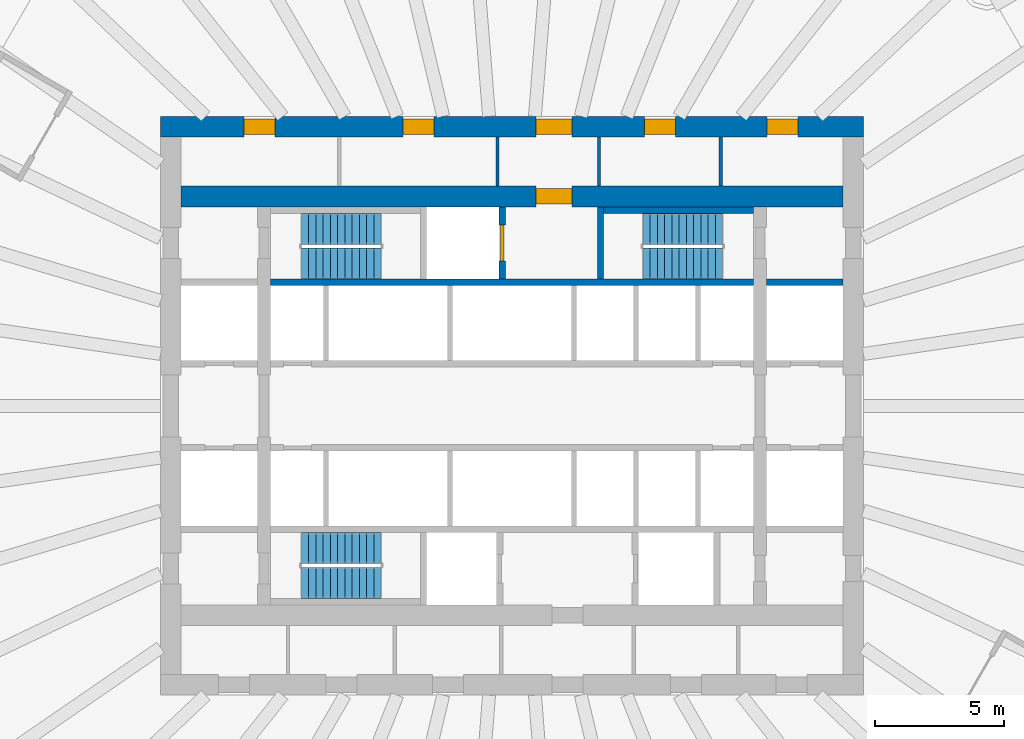
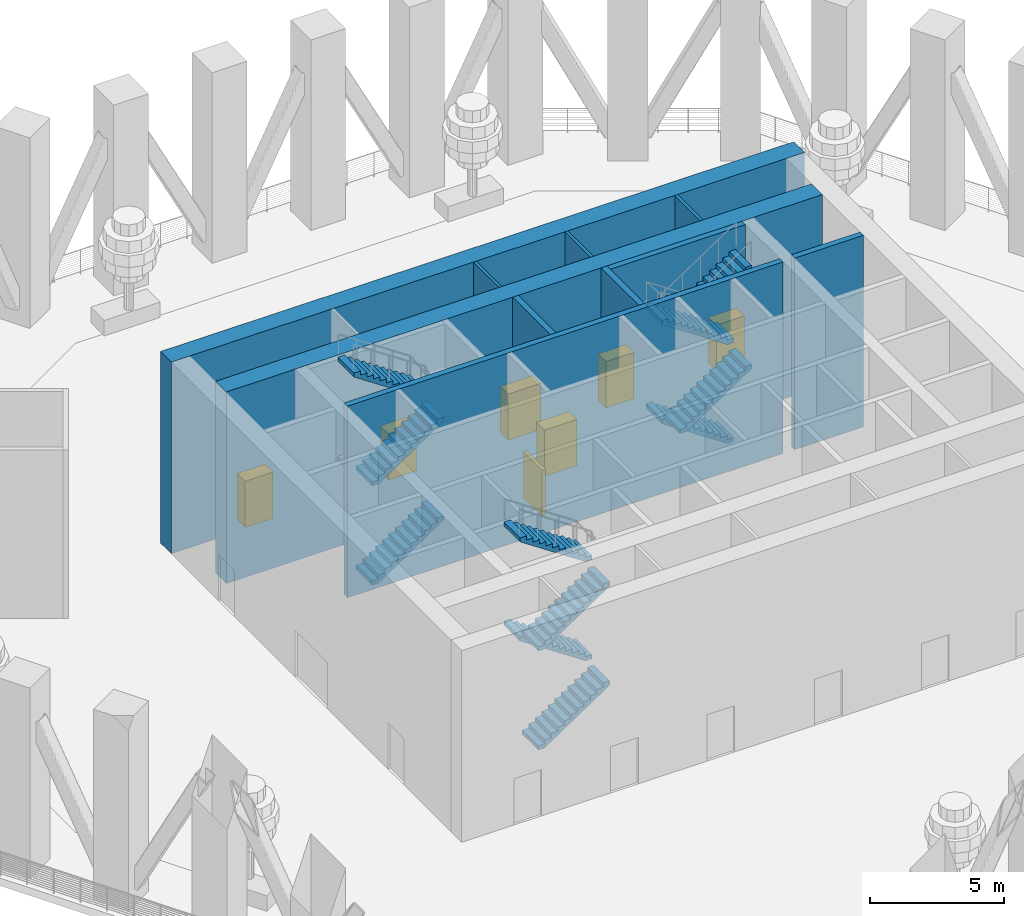
# One storey, part 5 of 10: 12 stair flights, 10 walls, 7 doors, 7 openings, 3 elements without a shape of their own.
"""IFC4 building model written with IfcOpenShell, lengths in metres."""

from ifc_helpers import new_model, si_unit, direction, frame, frame_2d, origin, place, context, subcontext, project, spatial, polyline, rectangle, outline, extrude, material, layer, layer_set, type_object, element, fill, aggregate, save


model = new_model("IFC4")

# Units and contexts
model_context = context("Model", 3, precision=1e-05, world=origin(), true_north=direction((0.0, 1.0)))
body_context = subcontext(model_context, "Body", "Model", "MODEL_VIEW")
ifc_project = project(units=[si_unit("LENGTHUNIT", "METRE"), si_unit("AREAUNIT", "SQUARE_METRE"), si_unit("VOLUMEUNIT", "CUBIC_METRE"), si_unit("PLANEANGLEUNIT", "RADIAN"), si_unit("MASSUNIT", "GRAM", prefix="KILO")], contexts=[model_context])

# Site, building, storey
site_placement = place(None, origin())
site = spatial("IfcSite", under=ifc_project, at=site_placement, CompositionType="ELEMENT")
building_placement = place(site_placement, origin())
building = spatial("IfcBuilding", under=site, at=building_placement, Name="Frailejon Research Tower", CompositionType="ELEMENT")
storey_placement = place(building_placement, frame((0.0, 0.0, 71.800048828125)))
storey = spatial("IfcBuildingStorey", under=building, at=storey_placement, Name="L16", CompositionType="ELEMENT", Elevation=71.800048828125)

# Walls
ifc_material_1 = material(Name="Plasterboard on steel studs", Category="steel")
ifc_layer_1 = layer(ifc_material_1, 0.125)
ifc_layer_set_1 = layer_set([ifc_layer_1], Name="Core partition 125")
wall_type_1 = type_object("IfcWallType", Name="Core partition 125", PredefinedType="PARTITIONING", material=ifc_layer_set_1)
for number, where, z_axis, x_axis, name in (
    (1, (-0.5625, 8.5, 0.0), (0.0, 0.0, 1.0), (0.0, 1.0, 0.0), "Core partition"),
    (2, (3.362548828125, 8.5, 0.0), (0.0, 0.0, 1.0), (0.0, 1.0, 0.0), "Core partition"),
    (3, (8.081298828125, 8.5, 0.0), (0.0, 0.0, 1.0), (0.0, 1.0, 0.0), "Core partition"),
):
    element("IfcWall", number, at=place(storey_placement, frame(where, z_axis=z_axis, x_axis=x_axis)), inside=storey, type_object=wall_type_1, Name=name, PredefinedType="PARTITIONING", context=body_context, shape_type="SweptSolid", body=[
        extrude(rectangle(XDim=1.89990234375, YDim=0.125, at=frame_2d((0.949951171875, 0.0))), origin(), (0.0, 0.0, 1.0), 8.699951171875),
    ])

# Wall, openings, doors
ifc_material_2 = material(Name="Concrete C70/85", Category="concrete")
ifc_layer_2 = layer(ifc_material_2, 0.800048828125)
ifc_layer_set_2 = layer_set([ifc_layer_2], Name="Core shear wall 800 C70/85")
wall_type_2 = type_object("IfcWallType", Name="Core shear wall 800 C70/85", PredefinedType="SHEAR", material=ifc_layer_set_2)
wall_1_placement = place(storey_placement, frame((-13.60009765625, 10.800048828125, 0.0), z_axis=(0.0, 0.0, 1.0), x_axis=(1.0, 0.0, 0.0)))
wall_1 = element("IfcWall", 4, at=wall_1_placement, inside=storey, type_object=wall_type_2, Name="Core shear wall", PredefinedType="SHEAR", context=body_context, shape_type="SweptSolid", body=[
    extrude(rectangle(XDim=27.2001953125, YDim=0.800048828125, at=frame_2d((13.60009765625, 0.0))), origin(), (0.0, 0.0, 1.0), 8.699951171875),
])
opening_1_placement = place(wall_1_placement, frame((3.22802734375, 0.0, 0.0)))
opening_1 = element("IfcOpeningElement", 5, at=opening_1_placement, cuts=wall_1, Name="Opening D6", PredefinedType="OPENING", context=body_context, shape_type="SweptSolid", body=[
    extrude(rectangle(XDim=1.199951171875, YDim=2.10009765625, at=frame_2d((0.60009765625, 1.050048828125))), frame((0.0, 0.409912109375, 0.0), z_axis=(0.0, -1.0, 0.0), x_axis=(1.0, 0.0, 0.0)), (0.0, 0.0, 1.0), 0.820068359375),
])
opening_2_placement = place(wall_1_placement, frame((9.378173828125, 0.0, 0.0)))
opening_2 = element("IfcOpeningElement", 6, at=opening_2_placement, cuts=wall_1, Name="Opening D6", PredefinedType="OPENING", context=body_context, shape_type="SweptSolid", body=[
    extrude(rectangle(XDim=1.199951171875, YDim=2.10009765625, at=frame_2d((0.60009765625, 1.050048828125))), frame((0.0, 0.409912109375, 0.0), z_axis=(0.0, -1.0, 0.0), x_axis=(1.0, 0.0, 0.0)), (0.0, 0.0, 1.0), 0.820068359375),
])
opening_3_placement = place(wall_1_placement, frame((18.721923828125, 0.0, 0.0)))
opening_3 = element("IfcOpeningElement", 7, at=opening_3_placement, cuts=wall_1, Name="Opening D6", PredefinedType="OPENING", context=body_context, shape_type="SweptSolid", body=[
    extrude(rectangle(XDim=1.199951171875, YDim=2.10009765625, at=frame_2d((0.60009765625, 1.050048828125))), frame((0.0, 0.409912109375, 0.0), z_axis=(0.0, -1.0, 0.0), x_axis=(1.0, 0.0, 0.0)), (0.0, 0.0, 1.0), 0.820068359375),
])
opening_4_placement = place(wall_1_placement, frame((23.471923828125, 0.0, 0.0)))
opening_4 = element("IfcOpeningElement", 8, at=opening_4_placement, cuts=wall_1, Name="Opening D6", PredefinedType="OPENING", context=body_context, shape_type="SweptSolid", body=[
    extrude(rectangle(XDim=1.199951171875, YDim=2.10009765625, at=frame_2d((0.60009765625, 1.050048828125))), frame((0.0, 0.409912109375, 0.0), z_axis=(0.0, -1.0, 0.0), x_axis=(1.0, 0.0, 0.0)), (0.0, 0.0, 1.0), 0.820068359375),
])
opening_5_placement = place(wall_1_placement, frame((14.52490234375, 0.0, 0.0)))
opening_5 = element("IfcOpeningElement", 9, at=opening_5_placement, cuts=wall_1, Name="Opening D9", PredefinedType="OPENING", context=body_context, shape_type="SweptSolid", body=[
    extrude(rectangle(XDim=1.39990234375, YDim=2.10009765625, at=frame_2d((0.699951171875, 1.050048828125))), frame((0.0, 0.409912109375, 0.0), z_axis=(0.0, -1.0, 0.0), x_axis=(1.0, 0.0, 0.0)), (0.0, 0.0, 1.0), 0.820068359375),
])
ifc_material_3 = material(Name="Steel", Category="steel")
door_type_1 = type_object("IfcDoorType", Name="Goods lobby door", OperationType="DOUBLE_DOOR_SINGLE_SWING", PredefinedType="DOOR", material=ifc_material_3)
door_1_placement = place(opening_5_placement, origin())
door_1 = element("IfcDoor", 10, at=door_1_placement, inside=storey, type_object=door_type_1, Name="Passage door", OperationType="DOUBLE_DOOR_SINGLE_SWING", OverallHeight=2.10009765625, OverallWidth=1.39990234375, PredefinedType="DOOR", context=body_context, shape_type="SweptSolid", body=[
    extrude(rectangle(XDim=1.39990234375, YDim=2.10009765625, at=frame_2d((0.699951171875, 1.050048828125))), frame((0.0, 0.300048828125, 0.0), z_axis=(0.0, -1.0, 0.0), x_axis=(1.0, 0.0, 0.0)), (0.0, 0.0, 1.0), 0.60009765625),
])
fill(opening_5, door_1)
ifc_material_4 = material(Name="Steel", Category="steel")
door_type_2 = type_object("IfcDoorType", Name="Plant door", OperationType="SINGLE_SWING_LEFT", PredefinedType="DOOR", material=ifc_material_4)
door_2_placement = place(opening_1_placement, origin())
door_2 = element("IfcDoor", 11, at=door_2_placement, inside=storey, type_object=door_type_2, Name="Room door", OperationType="SINGLE_SWING_RIGHT", OverallHeight=2.10009765625, OverallWidth=1.199951171875, PredefinedType="DOOR", context=body_context, shape_type="SweptSolid", body=[
    extrude(rectangle(XDim=1.199951171875, YDim=2.10009765625, at=frame_2d((0.60009765625, 1.050048828125))), frame((0.0, 0.300048828125, 0.0), z_axis=(0.0, -1.0, 0.0), x_axis=(1.0, 0.0, 0.0)), (0.0, 0.0, 1.0), 0.60009765625),
])
fill(opening_1, door_2)
door_3_placement = place(opening_2_placement, origin())
door_3 = element("IfcDoor", 12, at=door_3_placement, inside=storey, type_object=door_type_2, Name="Room door", OperationType="SINGLE_SWING_LEFT", OverallHeight=2.10009765625, OverallWidth=1.199951171875, PredefinedType="DOOR", context=body_context, shape_type="SweptSolid", body=[
    extrude(rectangle(XDim=1.199951171875, YDim=2.10009765625, at=frame_2d((0.60009765625, 1.050048828125))), frame((0.0, 0.300048828125, 0.0), z_axis=(0.0, -1.0, 0.0), x_axis=(1.0, 0.0, 0.0)), (0.0, 0.0, 1.0), 0.60009765625),
])
fill(opening_2, door_3)
door_4_placement = place(opening_3_placement, origin())
door_4 = element("IfcDoor", 13, at=door_4_placement, inside=storey, type_object=door_type_2, Name="Room door", OperationType="SINGLE_SWING_RIGHT", OverallHeight=2.10009765625, OverallWidth=1.199951171875, PredefinedType="DOOR", context=body_context, shape_type="SweptSolid", body=[
    extrude(rectangle(XDim=1.199951171875, YDim=2.10009765625, at=frame_2d((0.60009765625, 1.050048828125))), frame((0.0, 0.300048828125, 0.0), z_axis=(0.0, -1.0, 0.0), x_axis=(1.0, 0.0, 0.0)), (0.0, 0.0, 1.0), 0.60009765625),
])
fill(opening_3, door_4)
door_5_placement = place(opening_4_placement, origin())
door_5 = element("IfcDoor", 14, at=door_5_placement, inside=storey, type_object=door_type_2, Name="Room door", OperationType="SINGLE_SWING_LEFT", OverallHeight=2.10009765625, OverallWidth=1.199951171875, PredefinedType="DOOR", context=body_context, shape_type="SweptSolid", body=[
    extrude(rectangle(XDim=1.199951171875, YDim=2.10009765625, at=frame_2d((0.60009765625, 1.050048828125))), frame((0.0, 0.300048828125, 0.0), z_axis=(0.0, -1.0, 0.0), x_axis=(1.0, 0.0, 0.0)), (0.0, 0.0, 1.0), 0.60009765625),
])
fill(opening_4, door_5)

# Wall, opening, door
wall_2_placement = place(storey_placement, frame((-12.800048828125, 8.10009765625, 0.0), z_axis=(0.0, 0.0, 1.0), x_axis=(1.0, 0.0, 0.0)))
wall_2 = element("IfcWall", 15, at=wall_2_placement, inside=storey, type_object=wall_type_2, Name="Core shear wall", PredefinedType="SHEAR", context=body_context, shape_type="SweptSolid", body=[
    extrude(rectangle(XDim=25.60009765625, YDim=0.800048828125, at=frame_2d((12.800048828125, 0.0))), origin(), (0.0, 0.0, 1.0), 8.699951171875),
])
opening_6_placement = place(wall_2_placement, frame((13.72509765625, 0.0, 0.0)))
opening_6 = element("IfcOpeningElement", 16, at=opening_6_placement, cuts=wall_2, Name="Opening D9", PredefinedType="OPENING", context=body_context, shape_type="SweptSolid", body=[
    extrude(rectangle(XDim=1.39990234375, YDim=2.10009765625, at=frame_2d((0.699951171875, 1.050048828125))), frame((0.0, 0.409912109375, 0.0), z_axis=(0.0, -1.0, 0.0), x_axis=(1.0, 0.0, 0.0)), (0.0, 0.0, 1.0), 0.820068359375),
])
door_6_placement = place(opening_6_placement, origin())
door_6 = element("IfcDoor", 17, at=door_6_placement, inside=storey, type_object=door_type_1, Name="Goods lobby door", OperationType="DOUBLE_DOOR_SINGLE_SWING", OverallHeight=2.10009765625, OverallWidth=1.39990234375, PredefinedType="DOOR", context=body_context, shape_type="SweptSolid", body=[
    extrude(rectangle(XDim=1.39990234375, YDim=2.10009765625, at=frame_2d((0.699951171875, 1.050048828125))), frame((0.0, 0.300048828125, 0.0), z_axis=(0.0, -1.0, 0.0), x_axis=(1.0, 0.0, 0.0)), (0.0, 0.0, 1.0), 0.60009765625),
])
fill(opening_6, door_6)

# Walls
ifc_material_5 = material(Name="Concrete C70/85", Category="concrete")
ifc_layer_3 = layer(ifc_material_5, 0.25)
ifc_layer_set_3 = layer_set([ifc_layer_3], Name="Shaft wall 250 C70/85")
wall_type_3 = type_object("IfcWallType", Name="Shaft wall 250 C70/85", PredefinedType="SOLIDWALL", material=ifc_layer_set_3)
wall_3_placement = place(storey_placement, frame((-9.35009765625, 4.77490234375, 0.0), z_axis=(0.0, 0.0, 1.0), x_axis=(1.0, 0.0, 0.0)))
element("IfcWall", 18, at=wall_3_placement, inside=storey, type_object=wall_type_3, Name="Shaft wall", PredefinedType="SOLIDWALL", context=body_context, shape_type="SweptSolid", body=[
    extrude(rectangle(XDim=18.7001953125, YDim=0.25, at=frame_2d((9.35009765625, 0.0))), origin(), (0.0, 0.0, 1.0), 8.699951171875),
])
wall_4_placement = place(storey_placement, frame((9.85009765625, 4.77490234375, 0.0), z_axis=(0.0, 0.0, 1.0), x_axis=(1.0, 0.0, 0.0)))
element("IfcWall", 19, at=wall_4_placement, inside=storey, type_object=wall_type_3, Name="Shaft wall", PredefinedType="SOLIDWALL", context=body_context, shape_type="SweptSolid", body=[
    extrude(rectangle(XDim=2.949951171875, YDim=0.25, at=frame_2d((1.47509765625, 0.0))), origin(), (0.0, 0.0, 1.0), 8.699951171875),
])
wall_5_placement = place(storey_placement, frame((3.550048828125, 7.574951171875, 0.0), z_axis=(0.0, 0.0, 1.0), x_axis=(1.0, 0.0, 0.0)))
element("IfcWall", 20, at=wall_5_placement, inside=storey, type_object=wall_type_3, Name="Shaft wall", PredefinedType="SOLIDWALL", context=body_context, shape_type="SweptSolid", body=[
    extrude(rectangle(XDim=5.800048828125, YDim=0.25, at=frame_2d((2.89990234375, 0.0))), origin(), (0.0, 0.0, 1.0), 8.699951171875),
])

# Wall, opening, door
wall_6_placement = place(storey_placement, frame((-0.375, 4.89990234375, 0.0), z_axis=(0.0, 0.0, 1.0), x_axis=(0.0, 1.0, 0.0)))
wall_6 = element("IfcWall", 21, at=wall_6_placement, inside=storey, type_object=wall_type_3, Name="Shaft wall", PredefinedType="SOLIDWALL", context=body_context, shape_type="SweptSolid", body=[
    extrude(rectangle(XDim=2.800048828125, YDim=0.25, at=frame_2d((1.39990234375, 0.0))), origin(), (0.0, 0.0, 1.0), 8.699951171875),
])
opening_7_placement = place(wall_6_placement, frame((0.699951171875, 0.0, 0.0)))
opening_7 = element("IfcOpeningElement", 22, at=opening_7_placement, cuts=wall_6, Name="Opening LD2", PredefinedType="OPENING", context=body_context, shape_type="SweptSolid", body=[
    extrude(rectangle(XDim=1.39990234375, YDim=2.10009765625, at=frame_2d((0.699951171875, 1.050048828125))), frame((0.0, 0.135009765625, 0.0), z_axis=(0.0, -1.0, 0.0), x_axis=(1.0, 0.0, 0.0)), (0.0, 0.0, 1.0), 0.27001953125),
])
ifc_material_6 = material(Name="Stainless steel", Category="steel")
door_type_3 = type_object("IfcDoorType", Name="Goods landing door", OperationType="DOUBLE_DOOR_SLIDING", PredefinedType="DOOR", material=ifc_material_6)
door_7_placement = place(opening_7_placement, origin())
door_7 = element("IfcDoor", 23, at=door_7_placement, inside=storey, type_object=door_type_3, Name="Lift landing door", OperationType="DOUBLE_DOOR_SLIDING", OverallHeight=2.10009765625, OverallWidth=1.39990234375, PredefinedType="DOOR", context=body_context, shape_type="SweptSolid", body=[
    extrude(rectangle(XDim=1.39990234375, YDim=2.10009765625, at=frame_2d((0.699951171875, 1.050048828125))), frame((0.0, 0.074951171875, 0.0), z_axis=(0.0, -1.0, 0.0), x_axis=(1.0, 0.0, 0.0)), (0.0, 0.0, 1.0), 0.14990234375),
])
fill(opening_7, door_7)

# Wall
wall_7_placement = place(storey_placement, frame((3.425048828125, 4.89990234375, 0.0), z_axis=(0.0, 0.0, 1.0), x_axis=(0.0, 1.0, 0.0)))
element("IfcWall", 24, at=wall_7_placement, inside=storey, type_object=wall_type_3, Name="Shaft wall", PredefinedType="SOLIDWALL", context=body_context, shape_type="SweptSolid", body=[
    extrude(rectangle(XDim=2.800048828125, YDim=0.25, at=frame_2d((1.39990234375, 0.0))), origin(), (0.0, 0.0, 1.0), 8.699951171875),
])

# Stair, stair flights
ifc_material_7 = material(Name="Concrete C50/60", Category="concrete")
stair_type = type_object("IfcStairType", Name="Exit stair 48 risers", PredefinedType="HALF_TURN_STAIR", material=ifc_material_7)
stair_1_placement = place(storey_placement, origin())
stair_1 = element("IfcStair", 25, at=stair_1_placement, inside=storey, type_object=stair_type, Name="L16 Exit stair ST1", PredefinedType="HALF_TURN_STAIR")
ifc_material_8 = material(Name="Concrete C50/60", Category="concrete")
ifc_layer_4 = layer(ifc_material_8, 0.14990234375)
ifc_layer_set_4 = layer_set([ifc_layer_4], Name="Stair flight 12 risers")
stair_flight_type = type_object("IfcStairFlightType", Name="Stair flight 12 risers", PredefinedType="STRAIGHT", material=ifc_layer_set_4)
stair_flight_1_placement = place(storey_placement, frame((-8.14990234375, 5.5, 0.0), z_axis=(0.0, 0.0, 1.0), x_axis=(1.0, 0.0, 0.0)))
stair_flight_1 = element("IfcStairFlight", 26, at=stair_flight_1_placement, type_object=stair_flight_type, Name="ST1 flight 1", NumberOfRisers=12, NumberOfTreads=11, PredefinedType="STRAIGHT", RiserHeight=0.1875, TreadLength=0.28, context=body_context, shape_type="SweptSolid", body=[
    extrude(outline(polyline([(0.0, 0.0), (0.0, 0.1875), (0.280029296875, 0.1875), (0.280029296875, 0.375), (0.56005859375, 0.375), (0.56005859375, 0.5625), (0.840087890625, 0.5625), (0.840087890625, 0.75), (1.1201171875, 0.75), (1.1201171875, 0.9375), (1.39990234375, 0.9375), (1.39990234375, 1.125), (1.679931640625, 1.125), (1.679931640625, 1.3125), (1.9599609375, 1.3125), (1.9599609375, 1.5), (2.239990234375, 1.5), (2.239990234375, 1.6875), (2.52001953125, 1.6875), (2.52001953125, 1.875), (2.800048828125, 1.875), (2.800048828125, 2.0625), (3.080078125, 2.0625), (3.080078125, 2.25), (3.080078125, 1.882080078125), (0.26953125, 0.0), (0.0, 0.0)])), frame((0.0, 0.60009765625, 0.0), z_axis=(0.0, -1.0, 0.0), x_axis=(1.0, 0.0, 0.0)), (0.0, 0.0, 1.0), 1.199951171875),
])
stair_flight_2_placement = place(storey_placement, frame((-5.070068359375, 6.85009765625, 2.25), z_axis=(0.0, 0.0, 1.0), x_axis=(-1.0, 0.0, 0.0)))
stair_flight_2 = element("IfcStairFlight", 27, at=stair_flight_2_placement, type_object=stair_flight_type, Name="ST1 flight 2", NumberOfRisers=12, NumberOfTreads=11, PredefinedType="STRAIGHT", RiserHeight=0.1875, TreadLength=0.28, context=body_context, shape_type="SweptSolid", body=[
    extrude(outline(polyline([(0.0, 0.0), (0.0, 0.1875), (0.280029296875, 0.1875), (0.280029296875, 0.375), (0.56005859375, 0.375), (0.56005859375, 0.5625), (0.840087890625, 0.5625), (0.840087890625, 0.75), (1.1201171875, 0.75), (1.1201171875, 0.9375), (1.39990234375, 0.9375), (1.39990234375, 1.125), (1.679931640625, 1.125), (1.679931640625, 1.3125), (1.9599609375, 1.3125), (1.9599609375, 1.5), (2.239990234375, 1.5), (2.239990234375, 1.6875), (2.52001953125, 1.6875), (2.52001953125, 1.875), (2.800048828125, 1.875), (2.800048828125, 2.0625), (3.080078125, 2.0625), (3.080078125, 2.25), (3.080078125, 1.882080078125), (0.26953125, 0.0), (0.0, 0.0)])), frame((0.0, 0.60009765625, 0.0), z_axis=(0.0, -1.0, 0.0), x_axis=(1.0, 0.0, 0.0)), (0.0, 0.0, 1.0), 1.199951171875),
])
stair_flight_3_placement = place(storey_placement, frame((-8.14990234375, 5.5, 4.5), z_axis=(0.0, 0.0, 1.0), x_axis=(1.0, 0.0, 0.0)))
stair_flight_3 = element("IfcStairFlight", 28, at=stair_flight_3_placement, type_object=stair_flight_type, Name="ST1 flight 3", NumberOfRisers=12, NumberOfTreads=11, PredefinedType="STRAIGHT", RiserHeight=0.1875, TreadLength=0.28, context=body_context, shape_type="SweptSolid", body=[
    extrude(outline(polyline([(0.0, 0.0), (0.0, 0.1875), (0.280029296875, 0.1875), (0.280029296875, 0.375), (0.56005859375, 0.375), (0.56005859375, 0.5625), (0.840087890625, 0.5625), (0.840087890625, 0.75), (1.1201171875, 0.75), (1.1201171875, 0.9375), (1.39990234375, 0.9375), (1.39990234375, 1.125), (1.679931640625, 1.125), (1.679931640625, 1.3125), (1.9599609375, 1.3125), (1.9599609375, 1.5), (2.239990234375, 1.5), (2.239990234375, 1.6875), (2.52001953125, 1.6875), (2.52001953125, 1.875), (2.800048828125, 1.875), (2.800048828125, 2.0625), (3.080078125, 2.0625), (3.080078125, 2.25), (3.080078125, 1.882080078125), (0.26953125, 0.0), (0.0, 0.0)])), frame((0.0, 0.60009765625, 0.0), z_axis=(0.0, -1.0, 0.0), x_axis=(1.0, 0.0, 0.0)), (0.0, 0.0, 1.0), 1.199951171875),
])
stair_flight_4_placement = place(storey_placement, frame((-5.070068359375, 6.85009765625, 6.75), z_axis=(0.0, 0.0, 1.0), x_axis=(-1.0, 0.0, 0.0)))
stair_flight_4 = element("IfcStairFlight", 29, at=stair_flight_4_placement, type_object=stair_flight_type, Name="ST1 flight 4", NumberOfRisers=12, NumberOfTreads=11, PredefinedType="STRAIGHT", RiserHeight=0.1875, TreadLength=0.28, context=body_context, shape_type="SweptSolid", body=[
    extrude(outline(polyline([(0.0, 0.0), (0.0, 0.1875), (0.280029296875, 0.1875), (0.280029296875, 0.375), (0.56005859375, 0.375), (0.56005859375, 0.5625), (0.840087890625, 0.5625), (0.840087890625, 0.75), (1.1201171875, 0.75), (1.1201171875, 0.9375), (1.39990234375, 0.9375), (1.39990234375, 1.125), (1.679931640625, 1.125), (1.679931640625, 1.3125), (1.9599609375, 1.3125), (1.9599609375, 1.5), (2.239990234375, 1.5), (2.239990234375, 1.6875), (2.52001953125, 1.6875), (2.52001953125, 1.875), (2.800048828125, 1.875), (2.800048828125, 2.0625), (3.080078125, 2.0625), (3.080078125, 2.25), (3.080078125, 1.882080078125), (0.26953125, 0.0), (0.0, 0.0)])), frame((0.0, 0.60009765625, 0.0), z_axis=(0.0, -1.0, 0.0), x_axis=(1.0, 0.0, 0.0)), (0.0, 0.0, 1.0), 1.199951171875),
])
aggregate(stair_1, [stair_flight_1, stair_flight_2, stair_flight_3, stair_flight_4])

stair_2_placement = place(storey_placement, origin())
stair_2 = element("IfcStair", 30, at=stair_2_placement, inside=storey, type_object=stair_type, Name="L16 Exit stair ST2", PredefinedType="HALF_TURN_STAIR")
stair_flight_5_placement = place(storey_placement, frame((-8.14990234375, -6.85009765625, 0.0), z_axis=(0.0, 0.0, 1.0), x_axis=(1.0, 0.0, 0.0)))
stair_flight_5 = element("IfcStairFlight", 31, at=stair_flight_5_placement, type_object=stair_flight_type, Name="ST2 flight 1", NumberOfRisers=12, NumberOfTreads=11, PredefinedType="STRAIGHT", RiserHeight=0.1875, TreadLength=0.28, context=body_context, shape_type="SweptSolid", body=[
    extrude(outline(polyline([(0.0, 0.0), (0.0, 0.1875), (0.280029296875, 0.1875), (0.280029296875, 0.375), (0.56005859375, 0.375), (0.56005859375, 0.5625), (0.840087890625, 0.5625), (0.840087890625, 0.75), (1.1201171875, 0.75), (1.1201171875, 0.9375), (1.39990234375, 0.9375), (1.39990234375, 1.125), (1.679931640625, 1.125), (1.679931640625, 1.3125), (1.9599609375, 1.3125), (1.9599609375, 1.5), (2.239990234375, 1.5), (2.239990234375, 1.6875), (2.52001953125, 1.6875), (2.52001953125, 1.875), (2.800048828125, 1.875), (2.800048828125, 2.0625), (3.080078125, 2.0625), (3.080078125, 2.25), (3.080078125, 1.882080078125), (0.26953125, 0.0), (0.0, 0.0)])), frame((0.0, 0.60009765625, 0.0), z_axis=(0.0, -1.0, 0.0), x_axis=(1.0, 0.0, 0.0)), (0.0, 0.0, 1.0), 1.199951171875),
])
stair_flight_6_placement = place(storey_placement, frame((-5.070068359375, -5.5, 2.25), z_axis=(0.0, 0.0, 1.0), x_axis=(-1.0, 0.0, 0.0)))
stair_flight_6 = element("IfcStairFlight", 32, at=stair_flight_6_placement, type_object=stair_flight_type, Name="ST2 flight 2", NumberOfRisers=12, NumberOfTreads=11, PredefinedType="STRAIGHT", RiserHeight=0.1875, TreadLength=0.28, context=body_context, shape_type="SweptSolid", body=[
    extrude(outline(polyline([(0.0, 0.0), (0.0, 0.1875), (0.280029296875, 0.1875), (0.280029296875, 0.375), (0.56005859375, 0.375), (0.56005859375, 0.5625), (0.840087890625, 0.5625), (0.840087890625, 0.75), (1.1201171875, 0.75), (1.1201171875, 0.9375), (1.39990234375, 0.9375), (1.39990234375, 1.125), (1.679931640625, 1.125), (1.679931640625, 1.3125), (1.9599609375, 1.3125), (1.9599609375, 1.5), (2.239990234375, 1.5), (2.239990234375, 1.6875), (2.52001953125, 1.6875), (2.52001953125, 1.875), (2.800048828125, 1.875), (2.800048828125, 2.0625), (3.080078125, 2.0625), (3.080078125, 2.25), (3.080078125, 1.882080078125), (0.26953125, 0.0), (0.0, 0.0)])), frame((0.0, 0.60009765625, 0.0), z_axis=(0.0, -1.0, 0.0), x_axis=(1.0, 0.0, 0.0)), (0.0, 0.0, 1.0), 1.199951171875),
])
stair_flight_7_placement = place(storey_placement, frame((-8.14990234375, -6.85009765625, 4.5), z_axis=(0.0, 0.0, 1.0), x_axis=(1.0, 0.0, 0.0)))
stair_flight_7 = element("IfcStairFlight", 33, at=stair_flight_7_placement, type_object=stair_flight_type, Name="ST2 flight 3", NumberOfRisers=12, NumberOfTreads=11, PredefinedType="STRAIGHT", RiserHeight=0.1875, TreadLength=0.28, context=body_context, shape_type="SweptSolid", body=[
    extrude(outline(polyline([(0.0, 0.0), (0.0, 0.1875), (0.280029296875, 0.1875), (0.280029296875, 0.375), (0.56005859375, 0.375), (0.56005859375, 0.5625), (0.840087890625, 0.5625), (0.840087890625, 0.75), (1.1201171875, 0.75), (1.1201171875, 0.9375), (1.39990234375, 0.9375), (1.39990234375, 1.125), (1.679931640625, 1.125), (1.679931640625, 1.3125), (1.9599609375, 1.3125), (1.9599609375, 1.5), (2.239990234375, 1.5), (2.239990234375, 1.6875), (2.52001953125, 1.6875), (2.52001953125, 1.875), (2.800048828125, 1.875), (2.800048828125, 2.0625), (3.080078125, 2.0625), (3.080078125, 2.25), (3.080078125, 1.882080078125), (0.26953125, 0.0), (0.0, 0.0)])), frame((0.0, 0.60009765625, 0.0), z_axis=(0.0, -1.0, 0.0), x_axis=(1.0, 0.0, 0.0)), (0.0, 0.0, 1.0), 1.199951171875),
])
stair_flight_8_placement = place(storey_placement, frame((-5.070068359375, -5.5, 6.75), z_axis=(0.0, 0.0, 1.0), x_axis=(-1.0, 0.0, 0.0)))
stair_flight_8 = element("IfcStairFlight", 34, at=stair_flight_8_placement, type_object=stair_flight_type, Name="ST2 flight 4", NumberOfRisers=12, NumberOfTreads=11, PredefinedType="STRAIGHT", RiserHeight=0.1875, TreadLength=0.28, context=body_context, shape_type="SweptSolid", body=[
    extrude(outline(polyline([(0.0, 0.0), (0.0, 0.1875), (0.280029296875, 0.1875), (0.280029296875, 0.375), (0.56005859375, 0.375), (0.56005859375, 0.5625), (0.840087890625, 0.5625), (0.840087890625, 0.75), (1.1201171875, 0.75), (1.1201171875, 0.9375), (1.39990234375, 0.9375), (1.39990234375, 1.125), (1.679931640625, 1.125), (1.679931640625, 1.3125), (1.9599609375, 1.3125), (1.9599609375, 1.5), (2.239990234375, 1.5), (2.239990234375, 1.6875), (2.52001953125, 1.6875), (2.52001953125, 1.875), (2.800048828125, 1.875), (2.800048828125, 2.0625), (3.080078125, 2.0625), (3.080078125, 2.25), (3.080078125, 1.882080078125), (0.26953125, 0.0), (0.0, 0.0)])), frame((0.0, 0.60009765625, 0.0), z_axis=(0.0, -1.0, 0.0), x_axis=(1.0, 0.0, 0.0)), (0.0, 0.0, 1.0), 1.199951171875),
])
aggregate(stair_2, [stair_flight_5, stair_flight_6, stair_flight_7, stair_flight_8])

stair_3_placement = place(storey_placement, origin())
stair_3 = element("IfcStair", 35, at=stair_3_placement, inside=storey, type_object=stair_type, Name="L16 Exit stair ST3", PredefinedType="HALF_TURN_STAIR")
stair_flight_9_placement = place(storey_placement, frame((8.14990234375, 6.85009765625, 0.0), z_axis=(0.0, 0.0, 1.0), x_axis=(-1.0, 0.0, 0.0)))
stair_flight_9 = element("IfcStairFlight", 36, at=stair_flight_9_placement, type_object=stair_flight_type, Name="ST3 flight 1", NumberOfRisers=12, NumberOfTreads=11, PredefinedType="STRAIGHT", RiserHeight=0.1875, TreadLength=0.28, context=body_context, shape_type="SweptSolid", body=[
    extrude(outline(polyline([(0.0, 0.0), (0.0, 0.1875), (0.280029296875, 0.1875), (0.280029296875, 0.375), (0.56005859375, 0.375), (0.56005859375, 0.5625), (0.840087890625, 0.5625), (0.840087890625, 0.75), (1.1201171875, 0.75), (1.1201171875, 0.9375), (1.39990234375, 0.9375), (1.39990234375, 1.125), (1.679931640625, 1.125), (1.679931640625, 1.3125), (1.9599609375, 1.3125), (1.9599609375, 1.5), (2.239990234375, 1.5), (2.239990234375, 1.6875), (2.52001953125, 1.6875), (2.52001953125, 1.875), (2.800048828125, 1.875), (2.800048828125, 2.0625), (3.080078125, 2.0625), (3.080078125, 2.25), (3.080078125, 1.882080078125), (0.26953125, 0.0), (0.0, 0.0)])), frame((0.0, 0.60009765625, 0.0), z_axis=(0.0, -1.0, 0.0), x_axis=(1.0, 0.0, 0.0)), (0.0, 0.0, 1.0), 1.199951171875),
])
stair_flight_10_placement = place(storey_placement, frame((5.070068359375, 5.5, 2.25), z_axis=(0.0, 0.0, 1.0), x_axis=(1.0, 0.0, 0.0)))
stair_flight_10 = element("IfcStairFlight", 37, at=stair_flight_10_placement, type_object=stair_flight_type, Name="ST3 flight 2", NumberOfRisers=12, NumberOfTreads=11, PredefinedType="STRAIGHT", RiserHeight=0.1875, TreadLength=0.28, context=body_context, shape_type="SweptSolid", body=[
    extrude(outline(polyline([(0.0, 0.0), (0.0, 0.1875), (0.280029296875, 0.1875), (0.280029296875, 0.375), (0.56005859375, 0.375), (0.56005859375, 0.5625), (0.840087890625, 0.5625), (0.840087890625, 0.75), (1.1201171875, 0.75), (1.1201171875, 0.9375), (1.39990234375, 0.9375), (1.39990234375, 1.125), (1.679931640625, 1.125), (1.679931640625, 1.3125), (1.9599609375, 1.3125), (1.9599609375, 1.5), (2.239990234375, 1.5), (2.239990234375, 1.6875), (2.52001953125, 1.6875), (2.52001953125, 1.875), (2.800048828125, 1.875), (2.800048828125, 2.0625), (3.080078125, 2.0625), (3.080078125, 2.25), (3.080078125, 1.882080078125), (0.26953125, 0.0), (0.0, 0.0)])), frame((0.0, 0.60009765625, 0.0), z_axis=(0.0, -1.0, 0.0), x_axis=(1.0, 0.0, 0.0)), (0.0, 0.0, 1.0), 1.199951171875),
])
stair_flight_11_placement = place(storey_placement, frame((8.14990234375, 6.85009765625, 4.5), z_axis=(0.0, 0.0, 1.0), x_axis=(-1.0, 0.0, 0.0)))
stair_flight_11 = element("IfcStairFlight", 38, at=stair_flight_11_placement, type_object=stair_flight_type, Name="ST3 flight 3", NumberOfRisers=12, NumberOfTreads=11, PredefinedType="STRAIGHT", RiserHeight=0.1875, TreadLength=0.28, context=body_context, shape_type="SweptSolid", body=[
    extrude(outline(polyline([(0.0, 0.0), (0.0, 0.1875), (0.280029296875, 0.1875), (0.280029296875, 0.375), (0.56005859375, 0.375), (0.56005859375, 0.5625), (0.840087890625, 0.5625), (0.840087890625, 0.75), (1.1201171875, 0.75), (1.1201171875, 0.9375), (1.39990234375, 0.9375), (1.39990234375, 1.125), (1.679931640625, 1.125), (1.679931640625, 1.3125), (1.9599609375, 1.3125), (1.9599609375, 1.5), (2.239990234375, 1.5), (2.239990234375, 1.6875), (2.52001953125, 1.6875), (2.52001953125, 1.875), (2.800048828125, 1.875), (2.800048828125, 2.0625), (3.080078125, 2.0625), (3.080078125, 2.25), (3.080078125, 1.882080078125), (0.26953125, 0.0), (0.0, 0.0)])), frame((0.0, 0.60009765625, 0.0), z_axis=(0.0, -1.0, 0.0), x_axis=(1.0, 0.0, 0.0)), (0.0, 0.0, 1.0), 1.199951171875),
])
stair_flight_12_placement = place(storey_placement, frame((5.070068359375, 5.5, 6.75), z_axis=(0.0, 0.0, 1.0), x_axis=(1.0, 0.0, 0.0)))
stair_flight_12 = element("IfcStairFlight", 39, at=stair_flight_12_placement, type_object=stair_flight_type, Name="ST3 flight 4", NumberOfRisers=12, NumberOfTreads=11, PredefinedType="STRAIGHT", RiserHeight=0.1875, TreadLength=0.28, context=body_context, shape_type="SweptSolid", body=[
    extrude(outline(polyline([(0.0, 0.0), (0.0, 0.1875), (0.280029296875, 0.1875), (0.280029296875, 0.375), (0.56005859375, 0.375), (0.56005859375, 0.5625), (0.840087890625, 0.5625), (0.840087890625, 0.75), (1.1201171875, 0.75), (1.1201171875, 0.9375), (1.39990234375, 0.9375), (1.39990234375, 1.125), (1.679931640625, 1.125), (1.679931640625, 1.3125), (1.9599609375, 1.3125), (1.9599609375, 1.5), (2.239990234375, 1.5), (2.239990234375, 1.6875), (2.52001953125, 1.6875), (2.52001953125, 1.875), (2.800048828125, 1.875), (2.800048828125, 2.0625), (3.080078125, 2.0625), (3.080078125, 2.25), (3.080078125, 1.882080078125), (0.26953125, 0.0), (0.0, 0.0)])), frame((0.0, 0.60009765625, 0.0), z_axis=(0.0, -1.0, 0.0), x_axis=(1.0, 0.0, 0.0)), (0.0, 0.0, 1.0), 1.199951171875),
])
aggregate(stair_3, [stair_flight_9, stair_flight_10, stair_flight_11, stair_flight_12])

save(model, "model.ifc")
